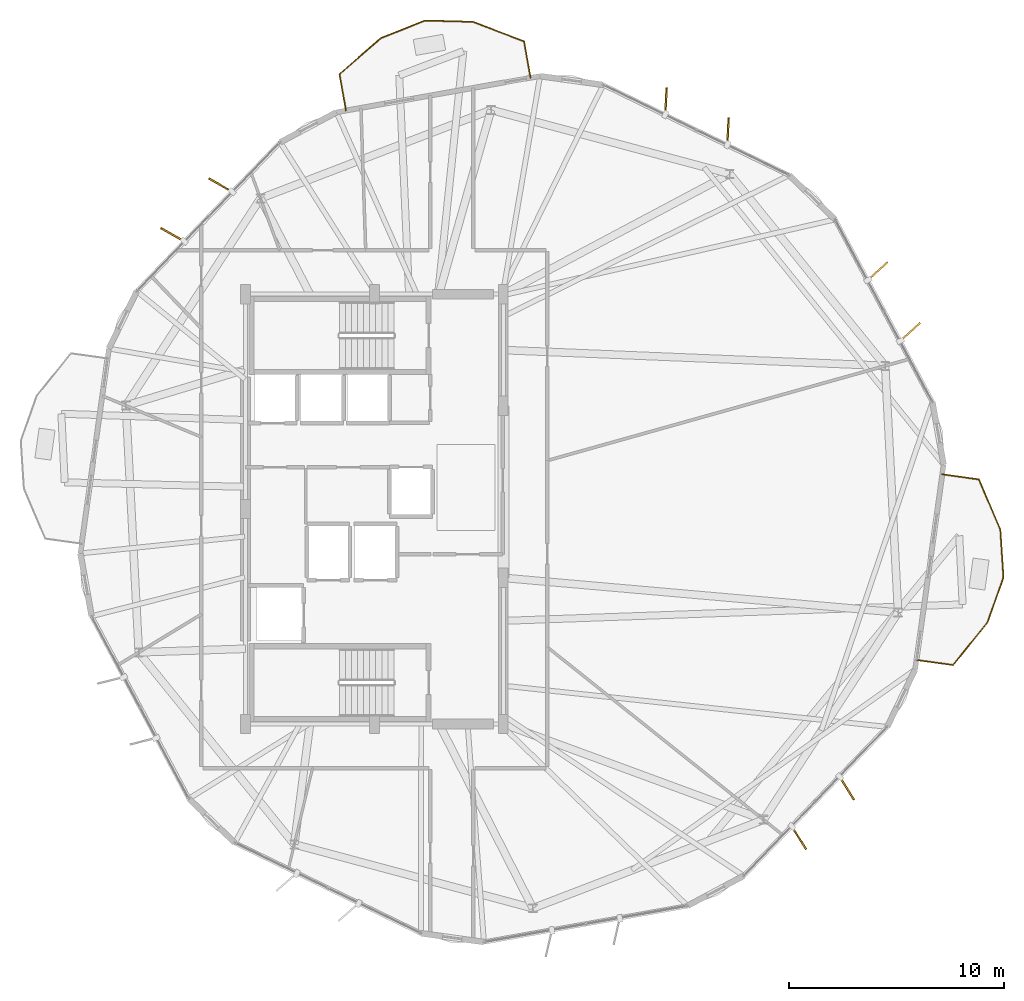
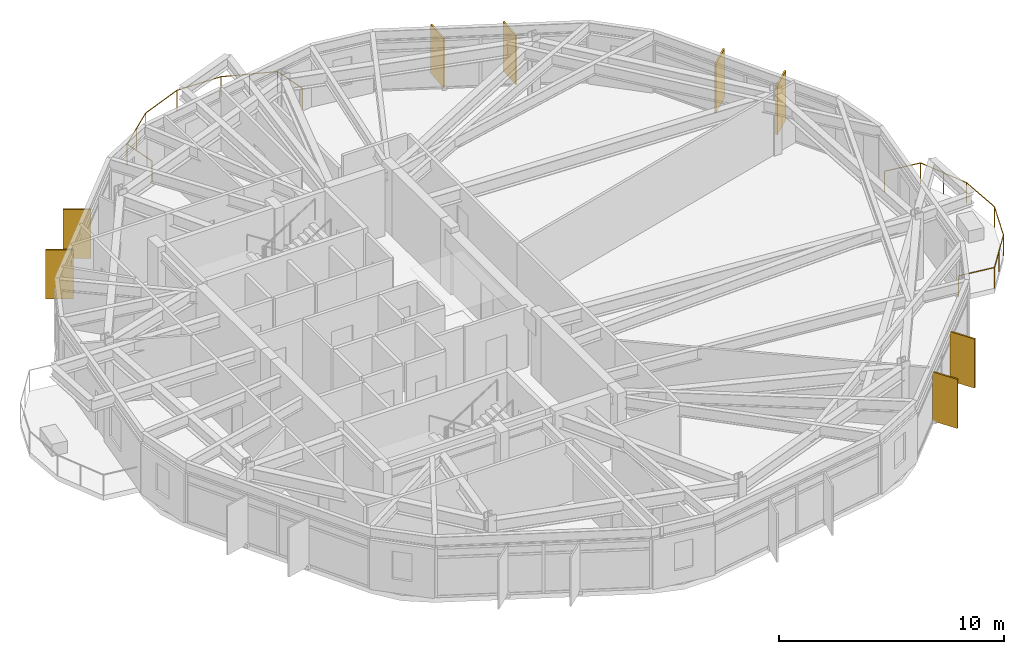
# One storey, part 28 of 28: 8 shading devices, 2 railings.
"""IFC4 building model written with IfcOpenShell, lengths in metres."""

from ifc_helpers import new_model, si_unit, direction, frame, origin, origin_2d, place, context, subcontext, project, spatial, rectangle, circle, extrude, material, layer, layer_set, type_object, element, save


model = new_model("IFC4")

# Units and contexts
model_context = context("Model", 3, precision=1e-05, world=origin(), true_north=direction((0.0, 1.0)))
body_context = subcontext(model_context, "Body", "Model", "MODEL_VIEW")
ifc_project = project(units=[si_unit("LENGTHUNIT", "METRE"), si_unit("AREAUNIT", "SQUARE_METRE"), si_unit("VOLUMEUNIT", "CUBIC_METRE"), si_unit("PLANEANGLEUNIT", "RADIAN"), si_unit("MASSUNIT", "GRAM", prefix="KILO")], contexts=[model_context])

# Site, building, storey
site_placement = place(None, origin())
site = spatial("IfcSite", under=ifc_project, at=site_placement, CompositionType="ELEMENT")
building_placement = place(site_placement, origin())
building = spatial("IfcBuilding", under=site, at=building_placement, Name="Soratama Intermodal Tower", CompositionType="ELEMENT")
storey_placement = place(building_placement, frame((0.0, 0.0, 205.0)))
storey = spatial("IfcBuildingStorey", under=building, at=storey_placement, Name="L51", CompositionType="ELEMENT", Elevation=205.0)

# Railings
ifc_material_1 = material(Name="Laminated glass and stainless steel balustrade", Category="steel")
railing_type = type_object("IfcRailingType", Name="RL-BAL-1150", PredefinedType="BALUSTRADE", material=ifc_material_1)
railing_1_placement = place(storey_placement, frame((65.02392578125, 26.618408203125, 0.0)))
element("IfcRailing", 1, at=railing_1_placement, inside=storey, type_object=railing_type, Name="L51 Balcony Balustrade 1", PredefinedType="BALUSTRADE", context=body_context, shape_type="SweptSolid", body=[
    extrude(circle(Radius=0.02392578125, at=origin_2d()), frame((0.0, 0.0, 1.1259765625), z_axis=(0.990456782158, -0.137823665158, 0.0), x_axis=(0.137823665158, 0.990456782158, 0.0)), (0.0, 0.0, 1.0), 1.719970703125),
    extrude(circle(Radius=0.02392578125, at=origin_2d()), frame((1.70361328125, -0.237060546875, 1.1259765625), z_axis=(0.392123730322, -0.919912485032, 0.0), x_axis=(0.919912485032, 0.392123730322, 0.0)), (0.0, 0.0, 1.0), 2.544677734375),
    extrude(circle(Radius=0.02392578125, at=origin_2d()), frame((2.701416015625, -2.577880859375, 1.1259765625), z_axis=(0.064794341412, -0.997898638801, 0.0), x_axis=(0.997898638801, 0.064794341412, 0.0)), (0.0, 0.0, 1.0), 2.226806640625),
    extrude(circle(Radius=0.02392578125, at=origin_2d()), frame((2.845703125, -4.800048828125, 1.1259765625), z_axis=(-0.334752241913, -0.942306179824, 0.0), x_axis=(0.942306179824, -0.334752241913, 0.0)), (0.0, 0.0, 1.0), 2.2265625),
    extrude(circle(Radius=0.02392578125, at=origin_2d()), frame((2.100341796875, -6.898193359375, 1.1259765625), z_axis=(-0.628303609499, -0.777968234757, 0.0), x_axis=(0.777968234757, -0.628303609499, 0.0)), (0.0, 0.0, 1.0), 2.544677734375),
    extrude(circle(Radius=0.02392578125, at=origin_2d()), frame((0.50146484375, -8.8779296875, 1.1259765625), z_axis=(-0.990456782158, 0.137823665158, 0.0), x_axis=(-0.137823665158, -0.990456782158, 0.0)), (0.0, 0.0, 1.0), 1.719970703125),
    extrude(circle(Radius=0.02099609375, at=origin_2d()), origin(), (0.0, 0.0, 1.0), 1.101806640625),
    extrude(circle(Radius=0.02099609375, at=origin_2d()), frame((1.70361328125, -0.237060546875, 0.0)), (0.0, 0.0, 1.0), 1.101806640625),
    extrude(circle(Radius=0.02099609375, at=origin_2d()), frame((2.20263671875, -1.407470703125, 0.0)), (0.0, 0.0, 1.0), 1.101806640625),
    extrude(circle(Radius=0.02099609375, at=origin_2d()), frame((2.701416015625, -2.577880859375, 0.0)), (0.0, 0.0, 1.0), 1.101806640625),
    extrude(circle(Radius=0.02099609375, at=origin_2d()), frame((2.845703125, -4.800048828125, 0.0)), (0.0, 0.0, 1.0), 1.101806640625),
    extrude(circle(Radius=0.02099609375, at=origin_2d()), frame((2.100341796875, -6.898193359375, 0.0)), (0.0, 0.0, 1.0), 1.101806640625),
    extrude(circle(Radius=0.02099609375, at=origin_2d()), frame((1.30078125, -7.88818359375, 0.0)), (0.0, 0.0, 1.0), 1.101806640625),
    extrude(circle(Radius=0.02099609375, at=origin_2d()), frame((0.50146484375, -8.8779296875, 0.0)), (0.0, 0.0, 1.0), 1.101806640625),
    extrude(circle(Radius=0.02099609375, at=origin_2d()), frame((-1.2021484375, -8.640869140625, 0.0)), (0.0, 0.0, 1.0), 1.101806640625),
])
railing_2_placement = place(storey_placement, frame((37.273193359375, 43.543701171875, 0.0)))
element("IfcRailing", 2, at=railing_2_placement, inside=storey, type_object=railing_type, Name="L51 Balcony Balustrade 2", PredefinedType="BALUSTRADE", context=body_context, shape_type="SweptSolid", body=[
    extrude(circle(Radius=0.02392578125, at=origin_2d()), frame((0.0, 0.0, 1.1259765625), z_axis=(-0.175137281813, 0.984544022641, 0.0), x_axis=(-0.984544022641, -0.175137281813, 0.0)), (0.0, 0.0, 1.0), 1.72021484375),
    extrude(circle(Radius=0.02392578125, at=origin_2d()), frame((-0.30126953125, 1.693603515625, 1.1259765625), z_axis=(0.753716674661, 0.657199493562, 0.0), x_axis=(-0.657199493562, 0.753716674661, 0.0)), (0.0, 0.0, 1.0), 2.544677734375),
    extrude(circle(Radius=0.02392578125, at=origin_2d()), frame((1.61669921875, 3.365966796875, 1.1259765625), z_axis=(0.929065292487, 0.369915777301, 0.0), x_axis=(-0.369915777301, 0.929065292487, 0.0)), (0.0, 0.0, 1.0), 2.226806640625),
    extrude(circle(Radius=0.02392578125, at=origin_2d()), frame((3.685546875, 4.189697265625, 1.1259765625), z_axis=(0.999633287434, -0.027079339986, 0.0), x_axis=(0.027079339986, 0.999633287434, 0.0)), (0.0, 0.0, 1.0), 2.226806640625),
    extrude(circle(Radius=0.02392578125, at=origin_2d()), frame((5.91162109375, 4.12939453125, 1.1259765625), z_axis=(0.934026416062, -0.357203939086, 0.0), x_axis=(0.357203939086, 0.934026416062, 0.0)), (0.0, 0.0, 1.0), 2.544677734375),
    extrude(circle(Radius=0.02392578125, at=origin_2d()), frame((8.288330078125, 3.220458984375, 1.1259765625), z_axis=(0.175024161311, -0.98456413857, 0.0), x_axis=(0.98456413857, 0.175024161311, 0.0)), (0.0, 0.0, 1.0), 1.719970703125),
    extrude(circle(Radius=0.02099609375, at=origin_2d()), origin(), (0.0, 0.0, 1.0), 1.101806640625),
    extrude(circle(Radius=0.02099609375, at=origin_2d()), frame((-0.30126953125, 1.693603515625, 0.0)), (0.0, 0.0, 1.0), 1.101806640625),
    extrude(circle(Radius=0.02099609375, at=origin_2d()), frame((0.65771484375, 2.52978515625, 0.0)), (0.0, 0.0, 1.0), 1.101806640625),
    extrude(circle(Radius=0.02099609375, at=origin_2d()), frame((1.61669921875, 3.365966796875, 0.0)), (0.0, 0.0, 1.0), 1.101806640625),
    extrude(circle(Radius=0.02099609375, at=origin_2d()), frame((3.685546875, 4.189697265625, 0.0)), (0.0, 0.0, 1.0), 1.101806640625),
    extrude(circle(Radius=0.02099609375, at=origin_2d()), frame((5.91162109375, 4.12939453125, 0.0)), (0.0, 0.0, 1.0), 1.101806640625),
    extrude(circle(Radius=0.02099609375, at=origin_2d()), frame((7.10009765625, 3.6748046875, 0.0)), (0.0, 0.0, 1.0), 1.101806640625),
    extrude(circle(Radius=0.02099609375, at=origin_2d()), frame((8.288330078125, 3.220458984375, 0.0)), (0.0, 0.0, 1.0), 1.101806640625),
    extrude(circle(Radius=0.02099609375, at=origin_2d()), frame((8.58935546875, 1.527099609375, 0.0)), (0.0, 0.0, 1.0), 1.101806640625),
])

# Shading devices
ifc_material_2 = material(Name="Champagne anodised aluminium solar fin", Category="aluminium")
ifc_layer = layer(ifc_material_2, 0.080078125)
ifc_layer_set = layer_set([ifc_layer], Name="Champagne anodised aluminium solar fin")
shading_device_type = type_object("IfcShadingDeviceType", Name="SH-FIN-1250", PredefinedType="USERDEFINED", material=ifc_layer_set)
for number, where, z_axis, x_axis, name in (
    (3, (55.04931640625, 42.580078125, 0.02001953125), (0.0, 0.0, 1.0), (0.053904534636, 0.998546093651, 0.0), "L51 Solar Fin F01-1"),
    (4, (52.163818359375, 43.982421875, 0.02001953125), (0.0, 0.0, 1.0), (0.053904534636, 0.998546093651, 0.0), "L51 Solar Fin F01-2"),
    (5, (31.427734375, 40.07861328125, 0.02001953125), (0.0, 0.0, 1.0), (-0.867678701833, 0.4971254071, 0.0), "L51 Solar Fin F03-1"),
    (6, (29.202392578125, 37.767578125, 0.02001953125), (0.0, 0.0, 1.0), (-0.867678701833, 0.4971254071, 0.0), "L51 Solar Fin F03-2"),
    (7, (58.35400390625, 9.695068359375, 0.02001953125), (0.0, 0.0, 1.0), (0.529475154669, -0.848325444973, 0.0), "L51 Solar Fin F08-1"),
    (8, (60.579345703125, 12.005859375, 0.02001953125), (0.0, 0.0, 1.0), (0.529475154669, -0.848325444973, 0.0), "L51 Solar Fin F08-2"),
    (9, (63.53466796875, 33.24853515625, 0.02001953125), (0.0, 0.0, 1.0), (0.740921822362, 0.6715912843, 0.0), "L51 Solar Fin F10-1"),
    (10, (62.0244140625, 36.078857421875, 0.02001953125), (0.0, 0.0, 1.0), (0.740921822362, 0.6715912843, 0.0), "L51 Solar Fin F10-2"),
):
    element("IfcShadingDevice", number, at=place(storey_placement, frame(where, z_axis=z_axis, x_axis=x_axis)), inside=storey, type_object=shading_device_type, Name=name, ObjectType="FIN", PredefinedType="USERDEFINED", context=body_context, shape_type="SweptSolid", body=[
        extrude(rectangle(XDim=1.25, YDim=0.080078125, at=origin_2d()), origin(), (0.0, 0.0, 1.0), 2.658935546875),
    ])

save(model, "model.ifc")
